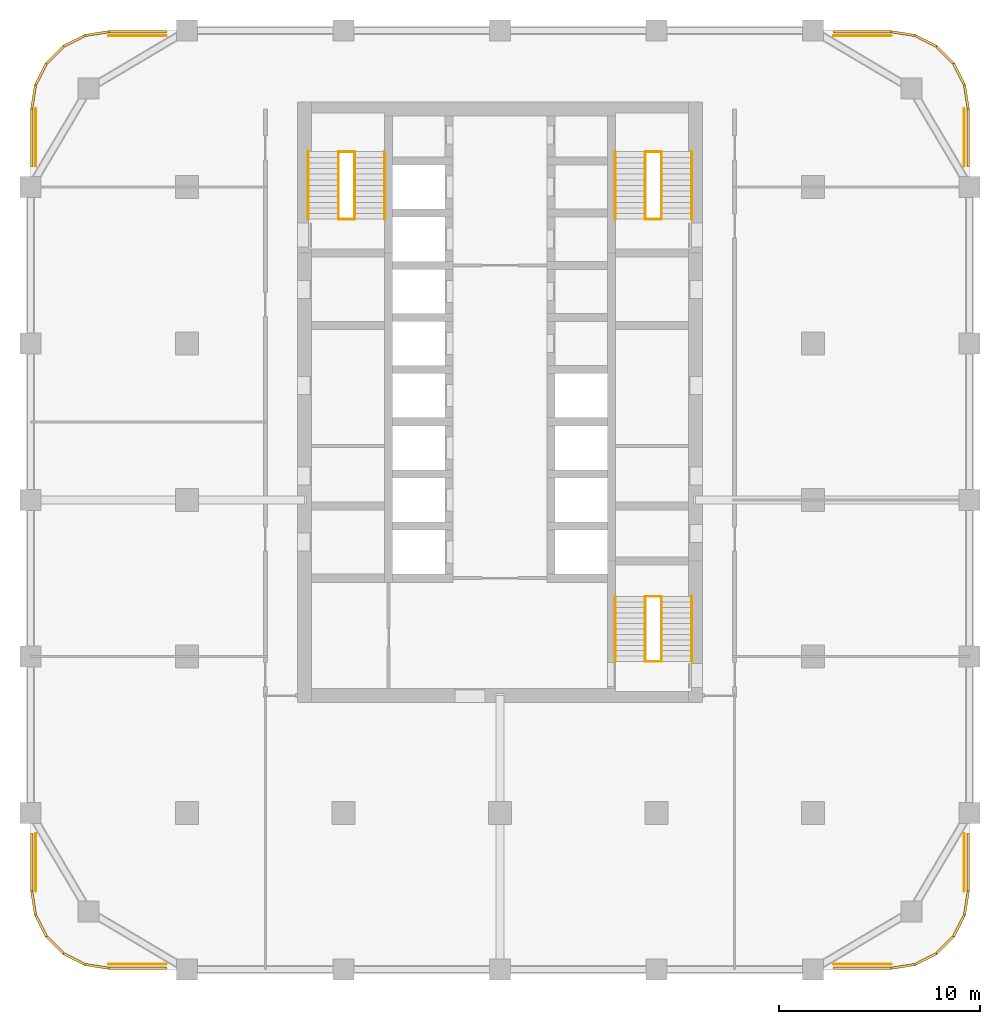
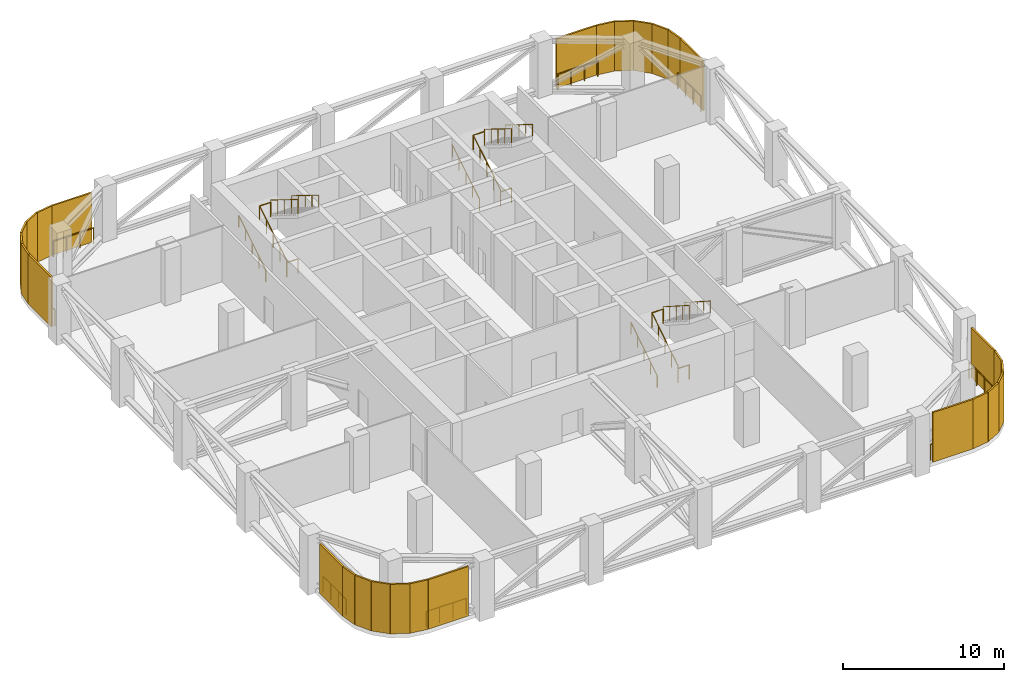
# One storey, part 8 of 8: 28 shading devices, 26 railings, 3 elements without a shape of their own.
"""IFC4 building model written with IfcOpenShell, lengths in metres."""

from ifc_helpers import new_model, si_unit, direction, frame, frame_2d, origin, origin_2d, place, context, subcontext, project, spatial, rectangle, circle, extrude, material, layer, layer_set, type_object, element, aggregate, save


model = new_model("IFC4")

# Units and contexts
model_context = context("Model", 3, precision=1e-05, world=origin(), true_north=direction((0.0, 1.0)))
body_context = subcontext(model_context, "Body", "Model", "MODEL_VIEW")
ifc_project = project(units=[si_unit("LENGTHUNIT", "METRE"), si_unit("AREAUNIT", "SQUARE_METRE"), si_unit("VOLUMEUNIT", "CUBIC_METRE"), si_unit("PLANEANGLEUNIT", "RADIAN"), si_unit("MASSUNIT", "GRAM", prefix="KILO")], contexts=[model_context])

# Site, building, storey
site_placement = place(None, origin())
site = spatial("IfcSite", under=ifc_project, at=site_placement, CompositionType="ELEMENT")
building_placement = place(site_placement, origin())
building = spatial("IfcBuilding", under=site, at=building_placement, Name="Ludao Terraces", CompositionType="ELEMENT")
storey_placement = place(building_placement, frame((0.0, 0.0, 46.699951171875)))
storey = spatial("IfcBuildingStorey", under=building, at=storey_placement, Name="L12", CompositionType="ELEMENT", Elevation=46.699951171875)

# Shading devices
ifc_material_1 = material(Name="Aluminium 6063-T6", Category="aluminium")
ifc_layer = layer(ifc_material_1, 0.1201171875)
ifc_layer_set = layer_set([ifc_layer], Name="ENV Louvre screen 120")
shading_device_type = type_object("IfcShadingDeviceType", Name="ENV Louvre screen 120", PredefinedType="USERDEFINED", material=ifc_layer_set)
for number, where, z_axis, x_axis, name in (
    (1, (65.5, 41.659912109375, 0.0), (0.0, 0.0, 1.0), (1.0, 0.0, 0.0), "LV-L12-S1"),
    (2, (101.62548828125, 41.659912109375, 0.0), (0.0, 0.0, 1.0), (1.0, 0.0, 0.0), "LV-L12-S6"),
    (3, (108.340087890625, 45.5, 0.0), (0.0, 0.0, 1.0), (0.0, 1.0, 0.0), "LV-L12-E1"),
    (4, (108.340087890625, 81.62548828125, 0.0), (0.0, 0.0, 1.0), (0.0, 1.0, 0.0), "LV-L12-E6"),
    (5, (65.5, 88.340087890625, 0.0), (0.0, 0.0, 1.0), (1.0, 0.0, 0.0), "LV-L12-N1"),
    (6, (101.62548828125, 88.340087890625, 0.0), (0.0, 0.0, 1.0), (1.0, 0.0, 0.0), "LV-L12-N6"),
    (7, (61.659912109375, 45.5, 0.0), (0.0, 0.0, 1.0), (0.0, 1.0, 0.0), "LV-L12-W1"),
    (8, (61.659912109375, 81.62548828125, 0.0), (0.0, 0.0, 1.0), (0.0, 1.0, 0.0), "LV-L12-W6"),
):
    element("IfcShadingDevice", number, at=place(storey_placement, frame(where, z_axis=z_axis, x_axis=x_axis)), inside=storey, type_object=shading_device_type, Name=name, ObjectType="LOUVRE", PredefinedType="USERDEFINED", context=body_context, shape_type="SweptSolid", body=[
        extrude(rectangle(XDim=2.87451171875, YDim=0.1201171875, at=frame_2d((1.437255859375, 0.0))), origin(), (0.0, 0.0, 1.0), 3.75),
    ])
for number, where, z_axis, x_axis, name in (
    (9, (104.5, 41.659912109375, 0.0), (0.0, 0.0, 1.0), (0.987680438414, 0.156484349296, 0.0), "LV-L12-SE1"),
    (10, (105.6865234375, 41.847900390625, 0.0), (0.0, 0.0, 1.0), (0.891028641699, 0.453947089066, 0.0), "LV-L12-SE2"),
    (11, (106.757080078125, 42.393310546875, 0.0), (0.0, 0.0, 1.0), (0.707106781187, 0.707106781187, 0.0), "LV-L12-SE3"),
    (12, (107.606689453125, 43.242919921875, 0.0), (0.0, 0.0, 1.0), (0.453947089066, 0.891028641699, 0.0), "LV-L12-SE4"),
    (13, (108.152099609375, 44.3134765625, 0.0), (0.0, 0.0, 1.0), (0.156484349296, 0.987680438414, 0.0), "LV-L12-SE5"),
    (14, (108.340087890625, 84.5, 0.0), (0.0, 0.0, 1.0), (-0.156484349296, 0.987680438414, 0.0), "LV-L12-NE1"),
    (15, (108.152099609375, 85.6865234375, 0.0), (0.0, 0.0, 1.0), (-0.453947089066, 0.891028641699, 0.0), "LV-L12-NE2"),
    (16, (107.606689453125, 86.757080078125, 0.0), (0.0, 0.0, 1.0), (-0.707106781187, 0.707106781187, 0.0), "LV-L12-NE3"),
    (17, (106.757080078125, 87.606689453125, 0.0), (0.0, 0.0, 1.0), (-0.891028641699, 0.453947089066, 0.0), "LV-L12-NE4"),
    (18, (105.6865234375, 88.152099609375, 0.0), (0.0, 0.0, 1.0), (-0.987680438414, 0.156484349296, 0.0), "LV-L12-NE5"),
    (19, (65.5, 88.340087890625, 0.0), (0.0, 0.0, 1.0), (-0.987680438414, -0.156484349296, 0.0), "LV-L12-NW1"),
    (20, (64.3134765625, 88.152099609375, 0.0), (0.0, 0.0, 1.0), (-0.891028641699, -0.453947089066, 0.0), "LV-L12-NW2"),
    (21, (63.242919921875, 87.606689453125, 0.0), (0.0, 0.0, 1.0), (-0.707106781187, -0.707106781187, 0.0), "LV-L12-NW3"),
    (22, (62.393310546875, 86.757080078125, 0.0), (0.0, 0.0, 1.0), (-0.453947089066, -0.891028641699, 0.0), "LV-L12-NW4"),
    (23, (61.847900390625, 85.6865234375, 0.0), (0.0, 0.0, 1.0), (-0.156484349296, -0.987680438414, 0.0), "LV-L12-NW5"),
    (24, (61.659912109375, 45.5, 0.0), (0.0, 0.0, 1.0), (0.156484349296, -0.987680438414, 0.0), "LV-L12-SW1"),
    (25, (61.847900390625, 44.3134765625, 0.0), (0.0, 0.0, 1.0), (0.453947089066, -0.891028641699, 0.0), "LV-L12-SW2"),
    (26, (62.393310546875, 43.242919921875, 0.0), (0.0, 0.0, 1.0), (0.707106781187, -0.707106781187, 0.0), "LV-L12-SW3"),
    (27, (63.242919921875, 42.393310546875, 0.0), (0.0, 0.0, 1.0), (0.891028641699, -0.453947089066, 0.0), "LV-L12-SW4"),
    (28, (64.3134765625, 41.847900390625, 0.0), (0.0, 0.0, 1.0), (0.987680438414, -0.156484349296, 0.0), "LV-L12-SW5"),
):
    element("IfcShadingDevice", number, at=place(storey_placement, frame(where, z_axis=z_axis, x_axis=x_axis)), inside=storey, type_object=shading_device_type, Name=name, ObjectType="LOUVRE", PredefinedType="USERDEFINED", context=body_context, shape_type="SweptSolid", body=[
        extrude(rectangle(XDim=1.201416015625, YDim=0.1201171875, at=frame_2d((0.6005859375, 0.0))), origin(), (0.0, 0.0, 1.0), 3.75),
    ])

# Railings
ifc_material_2 = material(Name="Steel Q235", Category="steel")
railing_type_1 = type_object("IfcRailingType", Name="ENV Open-edge guard 1200", PredefinedType="GUARDRAIL", material=ifc_material_2)
for number, where, name in (
    (29, (65.5, 41.8701171875, 0.0), "Guard L12 S1"),
    (30, (101.62548828125, 41.8701171875, 0.0), "Guard L12 S6"),
):
    element("IfcRailing", number, at=place(storey_placement, frame(where)), inside=storey, type_object=railing_type_1, Name=name, PredefinedType="GUARDRAIL", context=body_context, shape_type="SweptSolid", body=[
        extrude(circle(Radius=0.02392578125, at=origin_2d()), frame((0.0, 0.0, 1.17578125), z_axis=(1.0, 0.0, 0.0), x_axis=(0.0, 1.0, 0.0)), (0.0, 0.0, 1.0), 2.87451171875),
        extrude(circle(Radius=0.02099609375, at=origin_2d()), origin(), (0.0, 0.0, 1.0), 1.15185546875),
        extrude(circle(Radius=0.02099609375, at=origin_2d()), frame((0.958251953125, 0.0, 0.0)), (0.0, 0.0, 1.0), 1.15185546875),
        extrude(circle(Radius=0.02099609375, at=origin_2d()), frame((1.916259765625, 0.0, 0.0)), (0.0, 0.0, 1.0), 1.15185546875),
        extrude(circle(Radius=0.02099609375, at=origin_2d()), frame((2.87451171875, 0.0, 0.0)), (0.0, 0.0, 1.0), 1.15185546875),
    ])
for number, where, name in (
    (31, (108.1298828125, 45.5, 0.0), "Guard L12 E1"),
    (32, (108.1298828125, 81.62548828125, 0.0), "Guard L12 E6"),
):
    element("IfcRailing", number, at=place(storey_placement, frame(where)), inside=storey, type_object=railing_type_1, Name=name, PredefinedType="GUARDRAIL", context=body_context, shape_type="SweptSolid", body=[
        extrude(circle(Radius=0.02392578125, at=origin_2d()), frame((0.0, 0.0, 1.17578125), z_axis=(0.0, 1.0, 0.0), x_axis=(-1.0, 0.0, 0.0)), (0.0, 0.0, 1.0), 2.87451171875),
        extrude(circle(Radius=0.02099609375, at=origin_2d()), origin(), (0.0, 0.0, 1.0), 1.15185546875),
        extrude(circle(Radius=0.02099609375, at=origin_2d()), frame((0.0, 0.958251953125, 0.0)), (0.0, 0.0, 1.0), 1.15185546875),
        extrude(circle(Radius=0.02099609375, at=origin_2d()), frame((0.0, 1.916259765625, 0.0)), (0.0, 0.0, 1.0), 1.15185546875),
        extrude(circle(Radius=0.02099609375, at=origin_2d()), frame((0.0, 2.87451171875, 0.0)), (0.0, 0.0, 1.0), 1.15185546875),
    ])
for number, where, name in (
    (33, (65.5, 88.1298828125, 0.0), "Guard L12 N1"),
    (34, (101.62548828125, 88.1298828125, 0.0), "Guard L12 N6"),
):
    element("IfcRailing", number, at=place(storey_placement, frame(where)), inside=storey, type_object=railing_type_1, Name=name, PredefinedType="GUARDRAIL", context=body_context, shape_type="SweptSolid", body=[
        extrude(circle(Radius=0.02392578125, at=origin_2d()), frame((0.0, 0.0, 1.17578125), z_axis=(1.0, 0.0, 0.0), x_axis=(0.0, 1.0, 0.0)), (0.0, 0.0, 1.0), 2.87451171875),
        extrude(circle(Radius=0.02099609375, at=origin_2d()), origin(), (0.0, 0.0, 1.0), 1.15185546875),
        extrude(circle(Radius=0.02099609375, at=origin_2d()), frame((0.958251953125, 0.0, 0.0)), (0.0, 0.0, 1.0), 1.15185546875),
        extrude(circle(Radius=0.02099609375, at=origin_2d()), frame((1.916259765625, 0.0, 0.0)), (0.0, 0.0, 1.0), 1.15185546875),
        extrude(circle(Radius=0.02099609375, at=origin_2d()), frame((2.87451171875, 0.0, 0.0)), (0.0, 0.0, 1.0), 1.15185546875),
    ])
for number, where, name in (
    (35, (61.8701171875, 45.5, 0.0), "Guard L12 W1"),
    (36, (61.8701171875, 81.62548828125, 0.0), "Guard L12 W6"),
):
    element("IfcRailing", number, at=place(storey_placement, frame(where)), inside=storey, type_object=railing_type_1, Name=name, PredefinedType="GUARDRAIL", context=body_context, shape_type="SweptSolid", body=[
        extrude(circle(Radius=0.02392578125, at=origin_2d()), frame((0.0, 0.0, 1.17578125), z_axis=(0.0, 1.0, 0.0), x_axis=(-1.0, 0.0, 0.0)), (0.0, 0.0, 1.0), 2.87451171875),
        extrude(circle(Radius=0.02099609375, at=origin_2d()), origin(), (0.0, 0.0, 1.0), 1.15185546875),
        extrude(circle(Radius=0.02099609375, at=origin_2d()), frame((0.0, 0.958251953125, 0.0)), (0.0, 0.0, 1.0), 1.15185546875),
        extrude(circle(Radius=0.02099609375, at=origin_2d()), frame((0.0, 1.916259765625, 0.0)), (0.0, 0.0, 1.0), 1.15185546875),
        extrude(circle(Radius=0.02099609375, at=origin_2d()), frame((0.0, 2.87451171875, 0.0)), (0.0, 0.0, 1.0), 1.15185546875),
    ])

# Stair, railings
ifc_material_3 = material(Name="Concrete C40", Category="concrete")
stair_type = type_object("IfcStairType", Name="INT Stair", PredefinedType="HALF_TURN_STAIR", material=ifc_material_3)
stair_1_placement = place(storey_placement, origin())
stair_1 = element("IfcStair", 37, at=stair_1_placement, inside=storey, type_object=stair_type, Name="EXIT STAIR 1", PredefinedType="HALF_TURN_STAIR")
ifc_material_4 = material(Name="Stainless steel 304", Category="steel")
railing_type_2 = type_object("IfcRailingType", Name="INT Stair guard 1100", PredefinedType="GUARDRAIL", material=ifc_material_4)
railing_1_placement = place(storey_placement, frame((76.949951171875, 79.0, 0.173095703125)))
railing_1 = element("IfcRailing", 38, at=railing_1_placement, type_object=railing_type_2, Name="ST-L12-S1-R1G", PredefinedType="GUARDRAIL", context=body_context, shape_type="SweptSolid", body=[
    extrude(circle(Radius=0.02392578125, at=origin_2d()), frame((0.0, 0.0, 1.076171875), z_axis=(0.0, 0.850623216509, 0.525775754039), x_axis=(-1.0, 0.0, 0.0)), (0.0, 0.0, 1.0), 3.9501953125),
    extrude(circle(Radius=0.02099609375, at=origin_2d()), origin(), (0.0, 0.0, 1.0), 1.052001953125),
    extrude(circle(Radius=0.02099609375, at=origin_2d()), frame((0.0, 0.840087890625, 0.519287109375)), (0.0, 0.0, 1.0), 1.052001953125),
    extrude(circle(Radius=0.02099609375, at=origin_2d()), frame((0.0, 1.68017578125, 1.03857421875)), (0.0, 0.0, 1.0), 1.052001953125),
    extrude(circle(Radius=0.02099609375, at=origin_2d()), frame((0.0, 2.52001953125, 1.5576171875)), (0.0, 0.0, 1.0), 1.052001953125),
    extrude(circle(Radius=0.02099609375, at=origin_2d()), frame((0.0, 3.360107421875, 2.076904296875)), (0.0, 0.0, 1.0), 1.052001953125),
])
railing_2_placement = place(storey_placement, frame((77.75, 82.360107421875, 2.423095703125)))
railing_2 = element("IfcRailing", 39, at=railing_2_placement, type_object=railing_type_2, Name="ST-L12-S1-R2G", PredefinedType="GUARDRAIL", context=body_context, shape_type="SweptSolid", body=[
    extrude(circle(Radius=0.02392578125, at=origin_2d()), frame((0.0, 0.0, 1.076171875), z_axis=(0.0, -0.850623216509, 0.525775754039), x_axis=(1.0, 0.0, 0.0)), (0.0, 0.0, 1.0), 3.9501953125),
    extrude(circle(Radius=0.02099609375, at=origin_2d()), origin(), (0.0, 0.0, 1.0), 1.052001953125),
    extrude(circle(Radius=0.02099609375, at=origin_2d()), frame((0.0, -0.840087890625, 0.519287109375)), (0.0, 0.0, 1.0), 1.052001953125),
    extrude(circle(Radius=0.02099609375, at=origin_2d()), frame((0.0, -1.68017578125, 1.03857421875)), (0.0, 0.0, 1.0), 1.052001953125),
    extrude(circle(Radius=0.02099609375, at=origin_2d()), frame((0.0, -2.52001953125, 1.5576171875)), (0.0, 0.0, 1.0), 1.052001953125),
    extrude(circle(Radius=0.02099609375, at=origin_2d()), frame((0.0, -3.360107421875, 2.076904296875)), (0.0, 0.0, 1.0), 1.052001953125),
])
railing_3_placement = place(storey_placement, frame((76.949951171875, 82.360107421875, 2.25)))
railing_3 = element("IfcRailing", 40, at=railing_3_placement, type_object=railing_type_2, Name="ST-L12-S1-E1G", PredefinedType="GUARDRAIL", context=body_context, shape_type="SweptSolid", body=[
    extrude(circle(Radius=0.02392578125, at=origin_2d()), frame((0.0, 0.0, 1.076171875), z_axis=(1.0, 0.0, 0.0), x_axis=(0.0, 1.0, 0.0)), (0.0, 0.0, 1.0), 0.800048828125),
    extrude(circle(Radius=0.02099609375, at=origin_2d()), origin(), (0.0, 0.0, 1.0), 1.052001953125),
    extrude(circle(Radius=0.02099609375, at=origin_2d()), frame((0.800048828125, 0.0, 0.0)), (0.0, 0.0, 1.0), 1.052001953125),
])
railing_4_placement = place(storey_placement, frame((76.949951171875, 79.0, 0.0)))
railing_4 = element("IfcRailing", 41, at=railing_4_placement, type_object=railing_type_2, Name="ST-L12-S1-E2G", PredefinedType="GUARDRAIL", context=body_context, shape_type="SweptSolid", body=[
    extrude(circle(Radius=0.02392578125, at=origin_2d()), frame((0.0, 0.0, 1.076171875), z_axis=(1.0, 0.0, 0.0), x_axis=(0.0, 1.0, 0.0)), (0.0, 0.0, 1.0), 0.800048828125),
    extrude(circle(Radius=0.02099609375, at=origin_2d()), origin(), (0.0, 0.0, 1.0), 1.052001953125),
    extrude(circle(Radius=0.02099609375, at=origin_2d()), frame((0.800048828125, 0.0, 0.0)), (0.0, 0.0, 1.0), 1.052001953125),
])

stair_2_placement = place(storey_placement, origin())
stair_2 = element("IfcStair", 42, at=stair_2_placement, inside=storey, type_object=stair_type, Name="EXIT STAIR 2", PredefinedType="HALF_TURN_STAIR")
railing_5_placement = place(storey_placement, frame((92.25, 79.0, 0.173095703125)))
railing_5 = element("IfcRailing", 43, at=railing_5_placement, type_object=railing_type_2, Name="ST-L12-S2-R1G", PredefinedType="GUARDRAIL", context=body_context, shape_type="SweptSolid", body=[
    extrude(circle(Radius=0.02392578125, at=origin_2d()), frame((0.0, 0.0, 1.076171875), z_axis=(0.0, 0.850623216509, 0.525775754039), x_axis=(-1.0, 0.0, 0.0)), (0.0, 0.0, 1.0), 3.9501953125),
    extrude(circle(Radius=0.02099609375, at=origin_2d()), origin(), (0.0, 0.0, 1.0), 1.052001953125),
    extrude(circle(Radius=0.02099609375, at=origin_2d()), frame((0.0, 0.840087890625, 0.519287109375)), (0.0, 0.0, 1.0), 1.052001953125),
    extrude(circle(Radius=0.02099609375, at=origin_2d()), frame((0.0, 1.68017578125, 1.03857421875)), (0.0, 0.0, 1.0), 1.052001953125),
    extrude(circle(Radius=0.02099609375, at=origin_2d()), frame((0.0, 2.52001953125, 1.5576171875)), (0.0, 0.0, 1.0), 1.052001953125),
    extrude(circle(Radius=0.02099609375, at=origin_2d()), frame((0.0, 3.360107421875, 2.076904296875)), (0.0, 0.0, 1.0), 1.052001953125),
])
railing_6_placement = place(storey_placement, frame((93.050048828125, 82.360107421875, 2.423095703125)))
railing_6 = element("IfcRailing", 44, at=railing_6_placement, type_object=railing_type_2, Name="ST-L12-S2-R2G", PredefinedType="GUARDRAIL", context=body_context, shape_type="SweptSolid", body=[
    extrude(circle(Radius=0.02392578125, at=origin_2d()), frame((0.0, 0.0, 1.076171875), z_axis=(0.0, -0.850623216509, 0.525775754039), x_axis=(1.0, 0.0, 0.0)), (0.0, 0.0, 1.0), 3.9501953125),
    extrude(circle(Radius=0.02099609375, at=origin_2d()), origin(), (0.0, 0.0, 1.0), 1.052001953125),
    extrude(circle(Radius=0.02099609375, at=origin_2d()), frame((0.0, -0.840087890625, 0.519287109375)), (0.0, 0.0, 1.0), 1.052001953125),
    extrude(circle(Radius=0.02099609375, at=origin_2d()), frame((0.0, -1.68017578125, 1.03857421875)), (0.0, 0.0, 1.0), 1.052001953125),
    extrude(circle(Radius=0.02099609375, at=origin_2d()), frame((0.0, -2.52001953125, 1.5576171875)), (0.0, 0.0, 1.0), 1.052001953125),
    extrude(circle(Radius=0.02099609375, at=origin_2d()), frame((0.0, -3.360107421875, 2.076904296875)), (0.0, 0.0, 1.0), 1.052001953125),
])
railing_7_placement = place(storey_placement, frame((92.25, 82.360107421875, 2.25)))
railing_7 = element("IfcRailing", 45, at=railing_7_placement, type_object=railing_type_2, Name="ST-L12-S2-E1G", PredefinedType="GUARDRAIL", context=body_context, shape_type="SweptSolid", body=[
    extrude(circle(Radius=0.02392578125, at=origin_2d()), frame((0.0, 0.0, 1.076171875), z_axis=(1.0, 0.0, 0.0), x_axis=(0.0, 1.0, 0.0)), (0.0, 0.0, 1.0), 0.800048828125),
    extrude(circle(Radius=0.02099609375, at=origin_2d()), origin(), (0.0, 0.0, 1.0), 1.052001953125),
    extrude(circle(Radius=0.02099609375, at=origin_2d()), frame((0.800048828125, 0.0, 0.0)), (0.0, 0.0, 1.0), 1.052001953125),
])
railing_8_placement = place(storey_placement, frame((92.25, 79.0, 0.0)))
railing_8 = element("IfcRailing", 46, at=railing_8_placement, type_object=railing_type_2, Name="ST-L12-S2-E2G", PredefinedType="GUARDRAIL", context=body_context, shape_type="SweptSolid", body=[
    extrude(circle(Radius=0.02392578125, at=origin_2d()), frame((0.0, 0.0, 1.076171875), z_axis=(1.0, 0.0, 0.0), x_axis=(0.0, 1.0, 0.0)), (0.0, 0.0, 1.0), 0.800048828125),
    extrude(circle(Radius=0.02099609375, at=origin_2d()), origin(), (0.0, 0.0, 1.0), 1.052001953125),
    extrude(circle(Radius=0.02099609375, at=origin_2d()), frame((0.800048828125, 0.0, 0.0)), (0.0, 0.0, 1.0), 1.052001953125),
])

stair_3_placement = place(storey_placement, origin())
stair_3 = element("IfcStair", 47, at=stair_3_placement, inside=storey, type_object=stair_type, Name="EXIT STAIR 3", PredefinedType="HALF_TURN_STAIR")
railing_9_placement = place(storey_placement, frame((92.25, 56.949951171875, 0.173095703125)))
railing_9 = element("IfcRailing", 48, at=railing_9_placement, type_object=railing_type_2, Name="ST-L12-S3-R1G", PredefinedType="GUARDRAIL", context=body_context, shape_type="SweptSolid", body=[
    extrude(circle(Radius=0.02392578125, at=origin_2d()), frame((0.0, 0.0, 1.076171875), z_axis=(0.0, 0.841880617004, 0.539663808971), x_axis=(-1.0, 0.0, 0.0)), (0.0, 0.0, 1.0), 3.8486328125),
    extrude(circle(Radius=0.02099609375, at=origin_2d()), origin(), (0.0, 0.0, 1.0), 1.052001953125),
    extrude(circle(Radius=0.02099609375, at=origin_2d()), frame((0.0, 0.81005859375, 0.519287109375)), (0.0, 0.0, 1.0), 1.052001953125),
    extrude(circle(Radius=0.02099609375, at=origin_2d()), frame((0.0, 1.6201171875, 1.03857421875)), (0.0, 0.0, 1.0), 1.052001953125),
    extrude(circle(Radius=0.02099609375, at=origin_2d()), frame((0.0, 2.429931640625, 1.5576171875)), (0.0, 0.0, 1.0), 1.052001953125),
    extrude(circle(Radius=0.02099609375, at=origin_2d()), frame((0.0, 3.239990234375, 2.076904296875)), (0.0, 0.0, 1.0), 1.052001953125),
])
railing_10_placement = place(storey_placement, frame((93.050048828125, 60.18994140625, 2.423095703125)))
railing_10 = element("IfcRailing", 49, at=railing_10_placement, type_object=railing_type_2, Name="ST-L12-S3-R2G", PredefinedType="GUARDRAIL", context=body_context, shape_type="SweptSolid", body=[
    extrude(circle(Radius=0.02392578125, at=origin_2d()), frame((0.0, 0.0, 1.076171875), z_axis=(0.0, -0.841880617004, 0.539663808971), x_axis=(1.0, 0.0, 0.0)), (0.0, 0.0, 1.0), 3.8486328125),
    extrude(circle(Radius=0.02099609375, at=origin_2d()), origin(), (0.0, 0.0, 1.0), 1.052001953125),
    extrude(circle(Radius=0.02099609375, at=origin_2d()), frame((0.0, -0.81005859375, 0.519287109375)), (0.0, 0.0, 1.0), 1.052001953125),
    extrude(circle(Radius=0.02099609375, at=origin_2d()), frame((0.0, -1.6201171875, 1.03857421875)), (0.0, 0.0, 1.0), 1.052001953125),
    extrude(circle(Radius=0.02099609375, at=origin_2d()), frame((0.0, -2.429931640625, 1.5576171875)), (0.0, 0.0, 1.0), 1.052001953125),
    extrude(circle(Radius=0.02099609375, at=origin_2d()), frame((0.0, -3.239990234375, 2.076904296875)), (0.0, 0.0, 1.0), 1.052001953125),
])
railing_11_placement = place(storey_placement, frame((92.25, 60.18994140625, 2.25)))
railing_11 = element("IfcRailing", 50, at=railing_11_placement, type_object=railing_type_2, Name="ST-L12-S3-E1G", PredefinedType="GUARDRAIL", context=body_context, shape_type="SweptSolid", body=[
    extrude(circle(Radius=0.02392578125, at=origin_2d()), frame((0.0, 0.0, 1.076171875), z_axis=(1.0, 0.0, 0.0), x_axis=(0.0, 1.0, 0.0)), (0.0, 0.0, 1.0), 0.800048828125),
    extrude(circle(Radius=0.02099609375, at=origin_2d()), origin(), (0.0, 0.0, 1.0), 1.052001953125),
    extrude(circle(Radius=0.02099609375, at=origin_2d()), frame((0.800048828125, 0.0, 0.0)), (0.0, 0.0, 1.0), 1.052001953125),
])
railing_12_placement = place(storey_placement, frame((92.25, 56.949951171875, 0.0)))
railing_12 = element("IfcRailing", 51, at=railing_12_placement, type_object=railing_type_2, Name="ST-L12-S3-E2G", PredefinedType="GUARDRAIL", context=body_context, shape_type="SweptSolid", body=[
    extrude(circle(Radius=0.02392578125, at=origin_2d()), frame((0.0, 0.0, 1.076171875), z_axis=(1.0, 0.0, 0.0), x_axis=(0.0, 1.0, 0.0)), (0.0, 0.0, 1.0), 0.800048828125),
    extrude(circle(Radius=0.02099609375, at=origin_2d()), origin(), (0.0, 0.0, 1.0), 1.052001953125),
    extrude(circle(Radius=0.02099609375, at=origin_2d()), frame((0.800048828125, 0.0, 0.0)), (0.0, 0.0, 1.0), 1.052001953125),
])

# Railing
railing_type_3 = type_object("IfcRailingType", Name="INT Stair handrail 900", PredefinedType="HANDRAIL", material=ifc_material_4)
railing_13_placement = place(storey_placement, frame((75.449951171875, 79.0, 0.173095703125)))
railing_13 = element("IfcRailing", 52, at=railing_13_placement, type_object=railing_type_3, Name="ST-L12-S1-R1H", PredefinedType="HANDRAIL", context=body_context, shape_type="SweptSolid", body=[
    extrude(circle(Radius=0.02392578125, at=origin_2d()), frame((0.0, 0.0, 0.8759765625), z_axis=(0.0, 0.850623216509, 0.525775754039), x_axis=(-1.0, 0.0, 0.0)), (0.0, 0.0, 1.0), 3.9501953125),
    extrude(circle(Radius=0.02099609375, at=origin_2d()), origin(), (0.0, 0.0, 1.0), 0.851806640625),
    extrude(circle(Radius=0.02099609375, at=origin_2d()), frame((0.0, 0.840087890625, 0.519287109375)), (0.0, 0.0, 1.0), 0.851806640625),
    extrude(circle(Radius=0.02099609375, at=origin_2d()), frame((0.0, 1.68017578125, 1.03857421875)), (0.0, 0.0, 1.0), 0.851806640625),
    extrude(circle(Radius=0.02099609375, at=origin_2d()), frame((0.0, 2.52001953125, 1.5576171875)), (0.0, 0.0, 1.0), 0.851806640625),
    extrude(circle(Radius=0.02099609375, at=origin_2d()), frame((0.0, 3.360107421875, 2.076904296875)), (0.0, 0.0, 1.0), 0.851806640625),
])

railing_14_placement = place(storey_placement, frame((79.25, 82.360107421875, 2.423095703125)))
railing_14 = element("IfcRailing", 53, at=railing_14_placement, type_object=railing_type_3, Name="ST-L12-S1-R2H", PredefinedType="HANDRAIL", context=body_context, shape_type="SweptSolid", body=[
    extrude(circle(Radius=0.02392578125, at=origin_2d()), frame((0.0, 0.0, 0.8759765625), z_axis=(0.0, -0.850623216509, 0.525775754039), x_axis=(1.0, 0.0, 0.0)), (0.0, 0.0, 1.0), 3.9501953125),
    extrude(circle(Radius=0.02099609375, at=origin_2d()), origin(), (0.0, 0.0, 1.0), 0.851806640625),
    extrude(circle(Radius=0.02099609375, at=origin_2d()), frame((0.0, -0.840087890625, 0.519287109375)), (0.0, 0.0, 1.0), 0.851806640625),
    extrude(circle(Radius=0.02099609375, at=origin_2d()), frame((0.0, -1.68017578125, 1.03857421875)), (0.0, 0.0, 1.0), 0.851806640625),
    extrude(circle(Radius=0.02099609375, at=origin_2d()), frame((0.0, -2.52001953125, 1.5576171875)), (0.0, 0.0, 1.0), 0.851806640625),
    extrude(circle(Radius=0.02099609375, at=origin_2d()), frame((0.0, -3.360107421875, 2.076904296875)), (0.0, 0.0, 1.0), 0.851806640625),
])

aggregate(stair_1, [railing_1, railing_13, railing_2, railing_14, railing_3, railing_4])

railing_15_placement = place(storey_placement, frame((90.75, 79.0, 0.173095703125)))
railing_15 = element("IfcRailing", 54, at=railing_15_placement, type_object=railing_type_3, Name="ST-L12-S2-R1H", PredefinedType="HANDRAIL", context=body_context, shape_type="SweptSolid", body=[
    extrude(circle(Radius=0.02392578125, at=origin_2d()), frame((0.0, 0.0, 0.8759765625), z_axis=(0.0, 0.850623216509, 0.525775754039), x_axis=(-1.0, 0.0, 0.0)), (0.0, 0.0, 1.0), 3.9501953125),
    extrude(circle(Radius=0.02099609375, at=origin_2d()), origin(), (0.0, 0.0, 1.0), 0.851806640625),
    extrude(circle(Radius=0.02099609375, at=origin_2d()), frame((0.0, 0.840087890625, 0.519287109375)), (0.0, 0.0, 1.0), 0.851806640625),
    extrude(circle(Radius=0.02099609375, at=origin_2d()), frame((0.0, 1.68017578125, 1.03857421875)), (0.0, 0.0, 1.0), 0.851806640625),
    extrude(circle(Radius=0.02099609375, at=origin_2d()), frame((0.0, 2.52001953125, 1.5576171875)), (0.0, 0.0, 1.0), 0.851806640625),
    extrude(circle(Radius=0.02099609375, at=origin_2d()), frame((0.0, 3.360107421875, 2.076904296875)), (0.0, 0.0, 1.0), 0.851806640625),
])

railing_16_placement = place(storey_placement, frame((94.550048828125, 82.360107421875, 2.423095703125)))
railing_16 = element("IfcRailing", 55, at=railing_16_placement, type_object=railing_type_3, Name="ST-L12-S2-R2H", PredefinedType="HANDRAIL", context=body_context, shape_type="SweptSolid", body=[
    extrude(circle(Radius=0.02392578125, at=origin_2d()), frame((0.0, 0.0, 0.8759765625), z_axis=(0.0, -0.850623216509, 0.525775754039), x_axis=(1.0, 0.0, 0.0)), (0.0, 0.0, 1.0), 3.9501953125),
    extrude(circle(Radius=0.02099609375, at=origin_2d()), origin(), (0.0, 0.0, 1.0), 0.851806640625),
    extrude(circle(Radius=0.02099609375, at=origin_2d()), frame((0.0, -0.840087890625, 0.519287109375)), (0.0, 0.0, 1.0), 0.851806640625),
    extrude(circle(Radius=0.02099609375, at=origin_2d()), frame((0.0, -1.68017578125, 1.03857421875)), (0.0, 0.0, 1.0), 0.851806640625),
    extrude(circle(Radius=0.02099609375, at=origin_2d()), frame((0.0, -2.52001953125, 1.5576171875)), (0.0, 0.0, 1.0), 0.851806640625),
    extrude(circle(Radius=0.02099609375, at=origin_2d()), frame((0.0, -3.360107421875, 2.076904296875)), (0.0, 0.0, 1.0), 0.851806640625),
])

aggregate(stair_2, [railing_5, railing_15, railing_6, railing_16, railing_7, railing_8])

railing_17_placement = place(storey_placement, frame((90.75, 56.949951171875, 0.173095703125)))
railing_17 = element("IfcRailing", 56, at=railing_17_placement, type_object=railing_type_3, Name="ST-L12-S3-R1H", PredefinedType="HANDRAIL", context=body_context, shape_type="SweptSolid", body=[
    extrude(circle(Radius=0.02392578125, at=origin_2d()), frame((0.0, 0.0, 0.8759765625), z_axis=(0.0, 0.841880617004, 0.539663808971), x_axis=(-1.0, 0.0, 0.0)), (0.0, 0.0, 1.0), 3.8486328125),
    extrude(circle(Radius=0.02099609375, at=origin_2d()), origin(), (0.0, 0.0, 1.0), 0.851806640625),
    extrude(circle(Radius=0.02099609375, at=origin_2d()), frame((0.0, 0.81005859375, 0.519287109375)), (0.0, 0.0, 1.0), 0.851806640625),
    extrude(circle(Radius=0.02099609375, at=origin_2d()), frame((0.0, 1.6201171875, 1.03857421875)), (0.0, 0.0, 1.0), 0.851806640625),
    extrude(circle(Radius=0.02099609375, at=origin_2d()), frame((0.0, 2.429931640625, 1.5576171875)), (0.0, 0.0, 1.0), 0.851806640625),
    extrude(circle(Radius=0.02099609375, at=origin_2d()), frame((0.0, 3.239990234375, 2.076904296875)), (0.0, 0.0, 1.0), 0.851806640625),
])

railing_18_placement = place(storey_placement, frame((94.550048828125, 60.18994140625, 2.423095703125)))
railing_18 = element("IfcRailing", 57, at=railing_18_placement, type_object=railing_type_3, Name="ST-L12-S3-R2H", PredefinedType="HANDRAIL", context=body_context, shape_type="SweptSolid", body=[
    extrude(circle(Radius=0.02392578125, at=origin_2d()), frame((0.0, 0.0, 0.8759765625), z_axis=(0.0, -0.841880617004, 0.539663808971), x_axis=(1.0, 0.0, 0.0)), (0.0, 0.0, 1.0), 3.8486328125),
    extrude(circle(Radius=0.02099609375, at=origin_2d()), origin(), (0.0, 0.0, 1.0), 0.851806640625),
    extrude(circle(Radius=0.02099609375, at=origin_2d()), frame((0.0, -0.81005859375, 0.519287109375)), (0.0, 0.0, 1.0), 0.851806640625),
    extrude(circle(Radius=0.02099609375, at=origin_2d()), frame((0.0, -1.6201171875, 1.03857421875)), (0.0, 0.0, 1.0), 0.851806640625),
    extrude(circle(Radius=0.02099609375, at=origin_2d()), frame((0.0, -2.429931640625, 1.5576171875)), (0.0, 0.0, 1.0), 0.851806640625),
    extrude(circle(Radius=0.02099609375, at=origin_2d()), frame((0.0, -3.239990234375, 2.076904296875)), (0.0, 0.0, 1.0), 0.851806640625),
])

aggregate(stair_3, [railing_9, railing_17, railing_10, railing_18, railing_11, railing_12])

save(model, "model.ifc")
